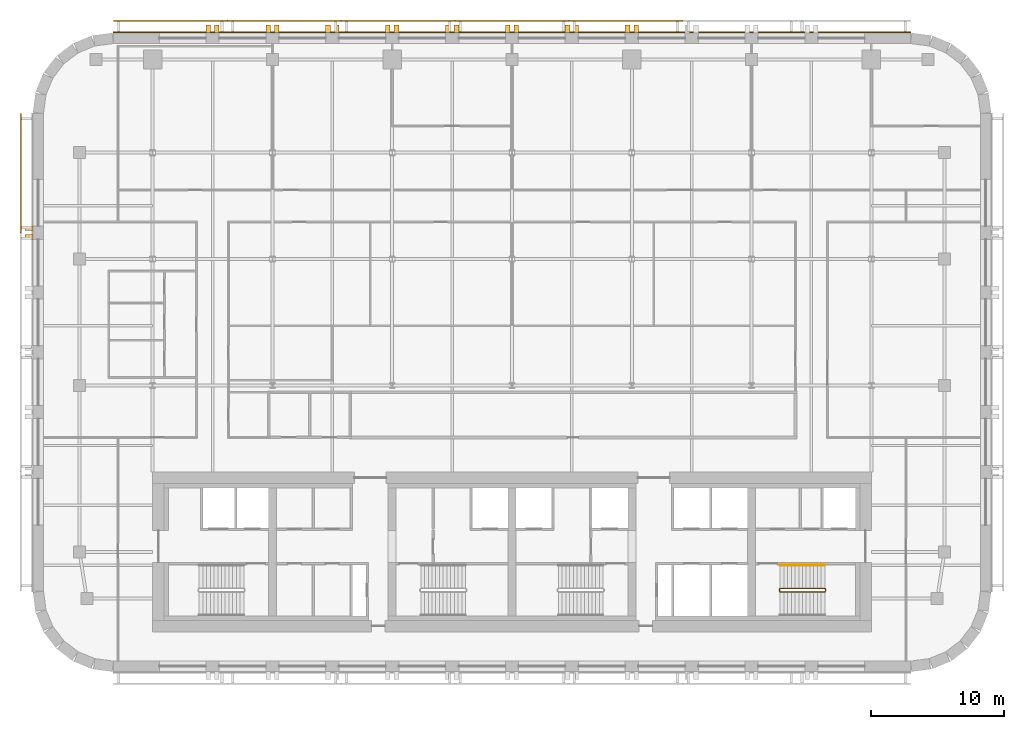
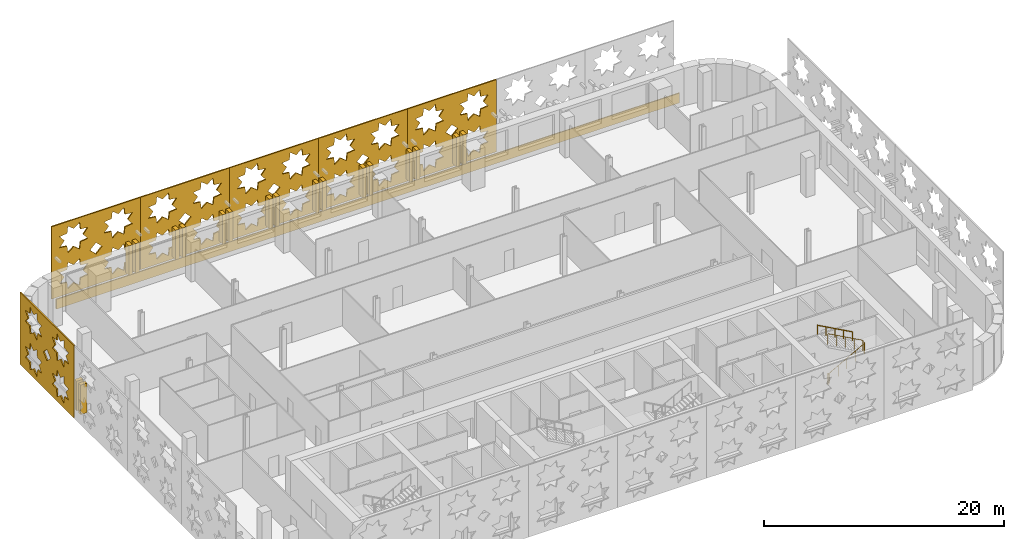
# One storey, part 11 of 12: 25 coverings, 2 railings.
"""IFC4 building model written with IfcOpenShell, lengths in metres."""

from ifc_helpers import new_model, si_unit, direction, frame, origin, origin_2d, place, context, subcontext, project, spatial, polyline, circle, outline, extrude, material, layer, layer_set, type_object, element, save


model = new_model("IFC4")

# Units and contexts
model_context = context("Model", 3, precision=1e-05, world=origin(), true_north=direction((0.0, 1.0)))
body_context = subcontext(model_context, "Body", "Model", "MODEL_VIEW")
ifc_project = project(units=[si_unit("LENGTHUNIT", "METRE"), si_unit("AREAUNIT", "SQUARE_METRE"), si_unit("VOLUMEUNIT", "CUBIC_METRE"), si_unit("PLANEANGLEUNIT", "RADIAN"), si_unit("MASSUNIT", "GRAM", prefix="KILO")], contexts=[model_context])

# Site, building, storey
site_placement = place(None, origin())
site = spatial("IfcSite", under=ifc_project, at=site_placement, CompositionType="ELEMENT")
building_placement = place(site_placement, origin())
building = spatial("IfcBuilding", under=site, at=building_placement, Name="Zellij Exchange Tower", CompositionType="ELEMENT")
storey_placement = place(building_placement, frame((0.0, 0.0, 180.5)))
storey = spatial("IfcBuildingStorey", under=building, at=storey_placement, Name="L41", CompositionType="ELEMENT", Elevation=180.5)

# Railings
ifc_material_1 = material(Name="Stainless steel", Category="steel")
railing_type_1 = type_object("IfcRailingType", Name="CORE-RG stair guard", PredefinedType="GUARDRAIL", material=ifc_material_1)
railing_1_placement = place(storey_placement, frame((20.10009765625, -10.949951171875, 0.0)))
element("IfcRailing", 1, at=railing_1_placement, inside=storey, type_object=railing_type_1, Name="ST4 stair guard L41", PredefinedType="GUARDRAIL", context=body_context, shape_type="SweptSolid", body=[
    extrude(circle(Radius=0.02392578125, at=origin_2d()), frame((0.0, 0.0, 1.076171875), z_axis=(0.0, 1.0, 0.0), x_axis=(-1.0, 0.0, 0.0)), (0.0, 0.0, 1.0), 0.14990234375),
    extrude(circle(Radius=0.02392578125, at=origin_2d()), frame((0.0, 0.14990234375, 1.076171875), z_axis=(0.193691321961, -0.777613689637, 0.598164376644), x_axis=(0.970351222016, 0.241699205484, 0.0)), (0.0, 0.0, 1.0), 0.257080078125),
    extrude(circle(Radius=0.02392578125, at=origin_2d()), frame((0.0498046875, -0.050048828125, 1.22998046875), z_axis=(0.876421534553, 0.0, 0.481544695509), x_axis=(0.0, 1.0, 0.0)), (0.0, 0.0, 1.0), 3.833984375),
    extrude(circle(Radius=0.02392578125, at=origin_2d()), frame((3.409912109375, -0.050048828125, 3.076171875), z_axis=(0.707106781187, 0.707106781187, 0.0), x_axis=(-0.707106781187, 0.707106781187, 0.0)), (0.0, 0.0, 1.0), 0.07080078125),
    extrude(circle(Radius=0.02392578125, at=origin_2d()), frame((3.4599609375, 0.0, 3.076171875), z_axis=(0.0, 1.0, 0.0), x_axis=(-1.0, 0.0, 0.0)), (0.0, 0.0, 1.0), 0.14990234375),
    extrude(circle(Radius=0.02392578125, at=origin_2d()), frame((3.4599609375, 0.14990234375, 3.076171875), z_axis=(-0.295599637079, 0.295599637079, 0.908428152975), x_axis=(-0.707106781187, -0.707106781187, 0.0)), (0.0, 0.0, 1.0), 0.16943359375),
    extrude(circle(Radius=0.02392578125, at=origin_2d()), frame((3.409912109375, 0.199951171875, 3.22998046875), z_axis=(-0.876421534553, 0.0, 0.481544695509), x_axis=(0.0, -1.0, 0.0)), (0.0, 0.0, 1.0), 3.833984375),
    extrude(circle(Radius=0.02099609375, at=origin_2d()), origin(), (0.0, 0.0, 1.0), 1.052001953125),
    extrude(circle(Radius=0.02099609375, at=origin_2d()), frame((0.0, 0.14990234375, 0.0)), (0.0, 0.0, 1.0), 1.052001953125),
    extrude(circle(Radius=0.02099609375, at=origin_2d()), frame((0.0498046875, -0.050048828125, 0.15380859375)), (0.0, 0.0, 1.0), 1.052001953125),
    extrude(circle(Radius=0.02099609375, at=origin_2d()), frame((0.889892578125, -0.050048828125, 0.615234375)), (0.0, 0.0, 1.0), 1.052001953125),
    extrude(circle(Radius=0.02099609375, at=origin_2d()), frame((1.72998046875, -0.050048828125, 1.076904296875)), (0.0, 0.0, 1.0), 1.052001953125),
    extrude(circle(Radius=0.02099609375, at=origin_2d()), frame((2.56982421875, -0.050048828125, 1.53857421875)), (0.0, 0.0, 1.0), 1.052001953125),
    extrude(circle(Radius=0.02099609375, at=origin_2d()), frame((3.409912109375, -0.050048828125, 2.0)), (0.0, 0.0, 1.0), 1.052001953125),
    extrude(circle(Radius=0.02099609375, at=origin_2d()), frame((3.4599609375, 0.0, 2.0)), (0.0, 0.0, 1.0), 1.052001953125),
    extrude(circle(Radius=0.02099609375, at=origin_2d()), frame((3.4599609375, 0.14990234375, 2.0)), (0.0, 0.0, 1.0), 1.052001953125),
    extrude(circle(Radius=0.02099609375, at=origin_2d()), frame((3.409912109375, 0.199951171875, 2.15380859375)), (0.0, 0.0, 1.0), 1.052001953125),
    extrude(circle(Radius=0.02099609375, at=origin_2d()), frame((2.56982421875, 0.199951171875, 2.615234375)), (0.0, 0.0, 1.0), 1.052001953125),
    extrude(circle(Radius=0.02099609375, at=origin_2d()), frame((1.72998046875, 0.199951171875, 3.076904296875)), (0.0, 0.0, 1.0), 1.052001953125),
    extrude(circle(Radius=0.02099609375, at=origin_2d()), frame((0.889892578125, 0.199951171875, 3.53857421875)), (0.0, 0.0, 1.0), 1.052001953125),
    extrude(circle(Radius=0.02099609375, at=origin_2d()), frame((0.0498046875, 0.199951171875, 4.0)), (0.0, 0.0, 1.0), 1.052001953125),
])
railing_type_2 = type_object("IfcRailingType", Name="CORE-RH stair handrail", PredefinedType="HANDRAIL", material=ifc_material_1)
railing_2_placement = place(storey_placement, frame((23.510009765625, -9.0, 2.15380859375)))
element("IfcRailing", 2, at=railing_2_placement, inside=storey, type_object=railing_type_2, Name="ST4 stair handrail L41", PredefinedType="HANDRAIL", context=body_context, shape_type="SweptSolid", body=[
    extrude(circle(Radius=0.02392578125, at=origin_2d()), frame((0.0, 0.0, 0.8759765625), z_axis=(-0.876421534553, 0.0, 0.481544695509), x_axis=(0.0, -1.0, 0.0)), (0.0, 0.0, 1.0), 3.833984375),
    extrude(circle(Radius=0.02099609375, at=origin_2d()), origin(), (0.0, 0.0, 1.0), 0.851806640625),
    extrude(circle(Radius=0.02099609375, at=origin_2d()), frame((-0.840087890625, 0.0, 0.46142578125)), (0.0, 0.0, 1.0), 0.851806640625),
    extrude(circle(Radius=0.02099609375, at=origin_2d()), frame((-1.68017578125, 0.0, 0.923095703125)), (0.0, 0.0, 1.0), 0.851806640625),
    extrude(circle(Radius=0.02099609375, at=origin_2d()), frame((-2.52001953125, 0.0, 1.384765625)), (0.0, 0.0, 1.0), 0.851806640625),
    extrude(circle(Radius=0.02099609375, at=origin_2d()), frame((-3.360107421875, 0.0, 1.84619140625)), (0.0, 0.0, 1.0), 0.851806640625),
])

# Coverings
ifc_material_2 = material(Name="Limestone cladding", Category="masonry")
covering_type_1 = type_object("IfcCoveringType", Name="ENV-CV3 Stone pier 350x600", PredefinedType="CLADDING", material=ifc_material_2)
covering_1_placement = place(storey_placement, frame((0.0, 0.0, 0.800048828125)))
element("IfcCovering", 3, at=covering_1_placement, inside=storey, type_object=covering_type_1, Name="Stone pier", PredefinedType="CLADDING", context=body_context, shape_type="SweptSolid", body=[
    extrude(outline(polyline([(9.5, 31.0), (9.14990234375, 31.0), (9.14990234375, 31.60009765625), (9.5, 31.60009765625), (9.5, 31.0)])), origin(), (0.0, 0.0, 1.0), 3.0),
])
covering_2_placement = place(storey_placement, frame((0.0, 0.0, 0.800048828125)))
element("IfcCovering", 4, at=covering_2_placement, inside=storey, type_object=covering_type_1, Name="Stone pier", PredefinedType="CLADDING", context=body_context, shape_type="SweptSolid", body=[
    extrude(outline(polyline([(8.85009765625, 31.0), (8.5, 31.0), (8.5, 31.60009765625), (8.85009765625, 31.60009765625), (8.85009765625, 31.0)])), origin(), (0.0, 0.0, 1.0), 3.0),
])
covering_3_placement = place(storey_placement, frame((0.0, 0.0, 0.800048828125)))
element("IfcCovering", 5, at=covering_3_placement, inside=storey, type_object=covering_type_1, Name="Stone pier", PredefinedType="CLADDING", context=body_context, shape_type="SweptSolid", body=[
    extrude(outline(polyline([(5.0, 31.0), (4.64990234375, 31.0), (4.64990234375, 31.60009765625), (5.0, 31.60009765625), (5.0, 31.0)])), origin(), (0.0, 0.0, 1.0), 3.0),
])
covering_4_placement = place(storey_placement, frame((0.0, 0.0, 0.800048828125)))
element("IfcCovering", 6, at=covering_4_placement, inside=storey, type_object=covering_type_1, Name="Stone pier", PredefinedType="CLADDING", context=body_context, shape_type="SweptSolid", body=[
    extrude(outline(polyline([(4.35009765625, 31.0), (4.0, 31.0), (4.0, 31.60009765625), (4.35009765625, 31.60009765625), (4.35009765625, 31.0)])), origin(), (0.0, 0.0, 1.0), 3.0),
])
covering_5_placement = place(storey_placement, frame((0.0, 0.0, 0.800048828125)))
element("IfcCovering", 7, at=covering_5_placement, inside=storey, type_object=covering_type_1, Name="Stone pier", PredefinedType="CLADDING", context=body_context, shape_type="SweptSolid", body=[
    extrude(outline(polyline([(0.5, 31.0), (0.14990234375, 31.0), (0.14990234375, 31.60009765625), (0.5, 31.60009765625), (0.5, 31.0)])), origin(), (0.0, 0.0, 1.0), 3.0),
])
covering_6_placement = place(storey_placement, frame((0.0, 0.0, 0.800048828125)))
element("IfcCovering", 8, at=covering_6_placement, inside=storey, type_object=covering_type_1, Name="Stone pier", PredefinedType="CLADDING", context=body_context, shape_type="SweptSolid", body=[
    extrude(outline(polyline([(-0.14990234375, 31.0), (-0.5, 31.0), (-0.5, 31.60009765625), (-0.14990234375, 31.60009765625), (-0.14990234375, 31.0)])), origin(), (0.0, 0.0, 1.0), 3.0),
])
covering_7_placement = place(storey_placement, frame((0.0, 0.0, 0.800048828125)))
element("IfcCovering", 9, at=covering_7_placement, inside=storey, type_object=covering_type_1, Name="Stone pier", PredefinedType="CLADDING", context=body_context, shape_type="SweptSolid", body=[
    extrude(outline(polyline([(-4.0, 31.0), (-4.35009765625, 31.0), (-4.35009765625, 31.60009765625), (-4.0, 31.60009765625), (-4.0, 31.0)])), origin(), (0.0, 0.0, 1.0), 3.0),
])
covering_8_placement = place(storey_placement, frame((0.0, 0.0, 0.800048828125)))
element("IfcCovering", 10, at=covering_8_placement, inside=storey, type_object=covering_type_1, Name="Stone pier", PredefinedType="CLADDING", context=body_context, shape_type="SweptSolid", body=[
    extrude(outline(polyline([(-4.64990234375, 31.0), (-5.0, 31.0), (-5.0, 31.60009765625), (-4.64990234375, 31.60009765625), (-4.64990234375, 31.0)])), origin(), (0.0, 0.0, 1.0), 3.0),
])
covering_9_placement = place(storey_placement, frame((0.0, 0.0, 0.800048828125)))
element("IfcCovering", 11, at=covering_9_placement, inside=storey, type_object=covering_type_1, Name="Stone pier", PredefinedType="CLADDING", context=body_context, shape_type="SweptSolid", body=[
    extrude(outline(polyline([(-8.5, 31.0), (-8.85009765625, 31.0), (-8.85009765625, 31.60009765625), (-8.5, 31.60009765625), (-8.5, 31.0)])), origin(), (0.0, 0.0, 1.0), 3.0),
])
covering_10_placement = place(storey_placement, frame((0.0, 0.0, 0.800048828125)))
element("IfcCovering", 12, at=covering_10_placement, inside=storey, type_object=covering_type_1, Name="Stone pier", PredefinedType="CLADDING", context=body_context, shape_type="SweptSolid", body=[
    extrude(outline(polyline([(-9.14990234375, 31.0), (-9.5, 31.0), (-9.5, 31.60009765625), (-9.14990234375, 31.60009765625), (-9.14990234375, 31.0)])), origin(), (0.0, 0.0, 1.0), 3.0),
])
covering_11_placement = place(storey_placement, frame((0.0, 0.0, 0.800048828125)))
element("IfcCovering", 13, at=covering_11_placement, inside=storey, type_object=covering_type_1, Name="Stone pier", PredefinedType="CLADDING", context=body_context, shape_type="SweptSolid", body=[
    extrude(outline(polyline([(-13.0, 31.0), (-13.35009765625, 31.0), (-13.35009765625, 31.60009765625), (-13.0, 31.60009765625), (-13.0, 31.0)])), origin(), (0.0, 0.0, 1.0), 3.0),
])
covering_12_placement = place(storey_placement, frame((0.0, 0.0, 0.800048828125)))
element("IfcCovering", 14, at=covering_12_placement, inside=storey, type_object=covering_type_1, Name="Stone pier", PredefinedType="CLADDING", context=body_context, shape_type="SweptSolid", body=[
    extrude(outline(polyline([(-13.64990234375, 31.0), (-14.0, 31.0), (-14.0, 31.60009765625), (-13.64990234375, 31.60009765625), (-13.64990234375, 31.0)])), origin(), (0.0, 0.0, 1.0), 3.0),
])
covering_13_placement = place(storey_placement, frame((0.0, 0.0, 0.800048828125)))
element("IfcCovering", 15, at=covering_13_placement, inside=storey, type_object=covering_type_1, Name="Stone pier", PredefinedType="CLADDING", context=body_context, shape_type="SweptSolid", body=[
    extrude(outline(polyline([(-17.5, 31.0), (-17.85009765625, 31.0), (-17.85009765625, 31.60009765625), (-17.5, 31.60009765625), (-17.5, 31.0)])), origin(), (0.0, 0.0, 1.0), 3.0),
])
covering_14_placement = place(storey_placement, frame((0.0, 0.0, 0.800048828125)))
element("IfcCovering", 16, at=covering_14_placement, inside=storey, type_object=covering_type_1, Name="Stone pier", PredefinedType="CLADDING", context=body_context, shape_type="SweptSolid", body=[
    extrude(outline(polyline([(-18.14990234375, 31.0), (-18.5, 31.0), (-18.5, 31.60009765625), (-18.14990234375, 31.60009765625), (-18.14990234375, 31.0)])), origin(), (0.0, 0.0, 1.0), 3.0),
])
covering_15_placement = place(storey_placement, frame((0.0, 0.0, 0.800048828125)))
element("IfcCovering", 17, at=covering_15_placement, inside=storey, type_object=covering_type_1, Name="Stone pier", PredefinedType="CLADDING", context=body_context, shape_type="SweptSolid", body=[
    extrude(outline(polyline([(-22.0, 31.0), (-22.35009765625, 31.0), (-22.35009765625, 31.60009765625), (-22.0, 31.60009765625), (-22.0, 31.0)])), origin(), (0.0, 0.0, 1.0), 3.0),
])
covering_16_placement = place(storey_placement, frame((0.0, 0.0, 0.800048828125)))
element("IfcCovering", 18, at=covering_16_placement, inside=storey, type_object=covering_type_1, Name="Stone pier", PredefinedType="CLADDING", context=body_context, shape_type="SweptSolid", body=[
    extrude(outline(polyline([(-22.64990234375, 31.0), (-23.0, 31.0), (-23.0, 31.60009765625), (-22.64990234375, 31.60009765625), (-22.64990234375, 31.0)])), origin(), (0.0, 0.0, 1.0), 3.0),
])
covering_17_placement = place(storey_placement, frame((0.0, 0.0, 0.800048828125)))
element("IfcCovering", 19, at=covering_17_placement, inside=storey, type_object=covering_type_1, Name="Stone pier", PredefinedType="CLADDING", context=body_context, shape_type="SweptSolid", body=[
    extrude(outline(polyline([(-36.0, 16.48681640625), (-36.0, 16.136962890625), (-36.60009765625, 16.136962890625), (-36.60009765625, 16.48681640625), (-36.0, 16.48681640625)])), origin(), (0.0, 0.0, 1.0), 3.0),
])
covering_18_placement = place(storey_placement, frame((0.0, 0.0, 0.800048828125)))
element("IfcCovering", 20, at=covering_18_placement, inside=storey, type_object=covering_type_1, Name="Stone pier", PredefinedType="CLADDING", context=body_context, shape_type="SweptSolid", body=[
    extrude(outline(polyline([(-36.0, 15.8369140625), (-36.0, 15.48681640625), (-36.60009765625, 15.48681640625), (-36.60009765625, 15.8369140625), (-36.0, 15.8369140625)])), origin(), (0.0, 0.0, 1.0), 3.0),
])
ifc_layer_1 = layer(ifc_material_2, 0.10009765625)
ifc_layer_set_1 = layer_set([ifc_layer_1], Name="Limestone cladding")
covering_type_2 = type_object("IfcCoveringType", Name="ENV-CV9 Stone spandrel band 100", PredefinedType="CLADDING", material=ifc_layer_set_1)
covering_19_placement = place(storey_placement, frame((0.0, 0.0, -0.199951171875)))
element("IfcCovering", 21, at=covering_19_placement, inside=storey, type_object=covering_type_2, Name="Stone spandrel band", PredefinedType="CLADDING", context=body_context, shape_type="SweptSolid", body=[
    extrude(outline(polyline([(29.973876953125, 31.0), (-29.973876953125, 31.0), (-29.980224609375, 31.10009765625), (29.980224609375, 31.10009765625), (29.973876953125, 31.0)])), origin(), (0.0, 0.0, 1.0), 1.0),
])
ifc_material_3 = material(Name="Limestone screen", Category="masonry")
ifc_layer_2 = layer(ifc_material_3, 0.1201171875)
ifc_layer_set_2 = layer_set([ifc_layer_2], Name="Limestone screen")
covering_type_3 = type_object("IfcCoveringType", Name="ENV-SC1 Pierced stone screen 120", PredefinedType="USERDEFINED", material=ifc_layer_set_2)
covering_20_placement = place(storey_placement, frame((-36.909912109375, 24.947509765625, 0.300048828125), z_axis=(0.0, 0.0, 1.0), x_axis=(0.0, -1.0, 0.0)))
element("IfcCovering", 22, at=covering_20_placement, inside=storey, type_object=covering_type_3, Name="Pierced stone screen", ObjectType="SCREEN", PredefinedType="USERDEFINED", context=body_context, shape_type="SweptSolid", body=[
    extrude(outline(polyline([(0.0, 0.0), (8.973876953125, 0.0), (8.973876953125, 7.35009765625), (0.0, 7.35009765625), (0.0, 0.0)]), holes=[polyline([(3.6015625, 2.39990234375), (2.887939453125, 2.48193359375), (2.805908203125, 3.195556640625), (2.243408203125, 2.748779296875), (1.680908203125, 3.195556640625), (1.59912109375, 2.48193359375), (0.88525390625, 2.39990234375), (1.33203125, 1.83740234375), (0.88525390625, 1.27490234375), (1.59912109375, 1.193115234375), (1.680908203125, 0.4794921875), (2.243408203125, 0.926025390625), (2.805908203125, 0.4794921875), (2.887939453125, 1.193115234375), (3.6015625, 1.27490234375), (3.15478515625, 1.83740234375), (3.6015625, 2.39990234375)]), polyline([(3.6015625, 6.074951171875), (2.887939453125, 6.156982421875), (2.805908203125, 6.87060546875), (2.243408203125, 6.423828125), (1.680908203125, 6.87060546875), (1.59912109375, 6.156982421875), (0.88525390625, 6.074951171875), (1.33203125, 5.512451171875), (0.88525390625, 4.949951171875), (1.59912109375, 4.867919921875), (1.680908203125, 4.154296875), (2.243408203125, 4.60107421875), (2.805908203125, 4.154296875), (2.887939453125, 4.867919921875), (3.6015625, 4.949951171875), (3.15478515625, 5.512451171875), (3.6015625, 6.074951171875)]), polyline([(8.08837890625, 2.39990234375), (7.374755859375, 2.48193359375), (7.29296875, 3.195556640625), (6.730224609375, 2.748779296875), (6.167724609375, 3.195556640625), (6.0859375, 2.48193359375), (5.372314453125, 2.39990234375), (5.81884765625, 1.83740234375), (5.372314453125, 1.27490234375), (6.0859375, 1.193115234375), (6.167724609375, 0.4794921875), (6.730224609375, 0.926025390625), (7.29296875, 0.4794921875), (7.374755859375, 1.193115234375), (8.08837890625, 1.27490234375), (7.6416015625, 1.83740234375), (8.08837890625, 2.39990234375)]), polyline([(8.08837890625, 6.074951171875), (7.374755859375, 6.156982421875), (7.29296875, 6.87060546875), (6.730224609375, 6.423828125), (6.167724609375, 6.87060546875), (6.0859375, 6.156982421875), (5.372314453125, 6.074951171875), (5.81884765625, 5.512451171875), (5.372314453125, 4.949951171875), (6.0859375, 4.867919921875), (6.167724609375, 4.154296875), (6.730224609375, 4.60107421875), (7.29296875, 4.154296875), (7.374755859375, 4.867919921875), (8.08837890625, 4.949951171875), (7.6416015625, 5.512451171875), (8.08837890625, 6.074951171875)]), polyline([(5.074951171875, 3.675048828125), (4.48681640625, 4.262939453125), (3.89892578125, 3.675048828125), (4.48681640625, 3.0869140625), (5.074951171875, 3.675048828125)])]), frame((0.0, 0.06005859375, 0.0), z_axis=(0.0, -1.0, 0.0), x_axis=(1.0, 0.0, 0.0)), (0.0, 0.0, 1.0), 0.1201171875),
])
covering_21_placement = place(storey_placement, frame((12.834716796875, 31.909912109375, 0.300048828125), z_axis=(0.0, 0.0, 1.0), x_axis=(-1.0, 0.0, 0.0)))
element("IfcCovering", 23, at=covering_21_placement, inside=storey, type_object=covering_type_3, Name="Pierced stone screen", ObjectType="SCREEN", PredefinedType="USERDEFINED", context=body_context, shape_type="SweptSolid", body=[
    extrude(outline(polyline([(0.0, 0.0), (8.556396484375, 0.0), (8.556396484375, 7.35009765625), (0.0, 7.35009765625), (0.0, 0.0)]), holes=[polyline([(3.497314453125, 2.39990234375), (2.78369140625, 2.48193359375), (2.70166015625, 3.195556640625), (2.13916015625, 2.748779296875), (1.57666015625, 3.195556640625), (1.49462890625, 2.48193359375), (0.781005859375, 2.39990234375), (1.227783203125, 1.83740234375), (0.781005859375, 1.27490234375), (1.49462890625, 1.193115234375), (1.57666015625, 0.4794921875), (2.13916015625, 0.926025390625), (2.70166015625, 0.4794921875), (2.78369140625, 1.193115234375), (3.497314453125, 1.27490234375), (3.050537109375, 1.83740234375), (3.497314453125, 2.39990234375)]), polyline([(3.497314453125, 6.074951171875), (2.78369140625, 6.156982421875), (2.70166015625, 6.87060546875), (2.13916015625, 6.423828125), (1.57666015625, 6.87060546875), (1.49462890625, 6.156982421875), (0.781005859375, 6.074951171875), (1.227783203125, 5.512451171875), (0.781005859375, 4.949951171875), (1.49462890625, 4.867919921875), (1.57666015625, 4.154296875), (2.13916015625, 4.60107421875), (2.70166015625, 4.154296875), (2.78369140625, 4.867919921875), (3.497314453125, 4.949951171875), (3.050537109375, 5.512451171875), (3.497314453125, 6.074951171875)]), polyline([(7.775390625, 2.39990234375), (7.061767578125, 2.48193359375), (6.97998046875, 3.195556640625), (6.417236328125, 2.748779296875), (5.854736328125, 3.195556640625), (5.77294921875, 2.48193359375), (5.05908203125, 2.39990234375), (5.505859375, 1.83740234375), (5.05908203125, 1.27490234375), (5.77294921875, 1.193115234375), (5.854736328125, 0.4794921875), (6.417236328125, 0.926025390625), (6.97998046875, 0.4794921875), (7.061767578125, 1.193115234375), (7.775390625, 1.27490234375), (7.32861328125, 1.83740234375), (7.775390625, 2.39990234375)]), polyline([(7.775390625, 6.074951171875), (7.061767578125, 6.156982421875), (6.97998046875, 6.87060546875), (6.417236328125, 6.423828125), (5.854736328125, 6.87060546875), (5.77294921875, 6.156982421875), (5.05908203125, 6.074951171875), (5.505859375, 5.512451171875), (5.05908203125, 4.949951171875), (5.77294921875, 4.867919921875), (5.854736328125, 4.154296875), (6.417236328125, 4.60107421875), (6.97998046875, 4.154296875), (7.061767578125, 4.867919921875), (7.775390625, 4.949951171875), (7.32861328125, 5.512451171875), (7.775390625, 6.074951171875)]), polyline([(4.8662109375, 3.675048828125), (4.2783203125, 4.262939453125), (3.690185546875, 3.675048828125), (4.2783203125, 3.0869140625), (4.8662109375, 3.675048828125)])]), frame((0.0, 0.06005859375, 0.0), z_axis=(0.0, -1.0, 0.0), x_axis=(1.0, 0.0, 0.0)), (0.0, 0.0, 1.0), 0.1201171875),
])
covering_22_placement = place(storey_placement, frame((4.2783203125, 31.909912109375, 0.300048828125), z_axis=(0.0, 0.0, 1.0), x_axis=(-1.0, 0.0, 0.0)))
element("IfcCovering", 24, at=covering_22_placement, inside=storey, type_object=covering_type_3, Name="Pierced stone screen", ObjectType="SCREEN", PredefinedType="USERDEFINED", context=body_context, shape_type="SweptSolid", body=[
    extrude(outline(polyline([(0.0, 0.0), (8.556396484375, 0.0), (8.556396484375, 7.35009765625), (0.0, 7.35009765625), (0.0, 0.0)]), holes=[polyline([(3.497314453125, 2.39990234375), (2.78369140625, 2.48193359375), (2.70166015625, 3.195556640625), (2.13916015625, 2.748779296875), (1.57666015625, 3.195556640625), (1.49462890625, 2.48193359375), (0.781005859375, 2.39990234375), (1.227783203125, 1.83740234375), (0.781005859375, 1.27490234375), (1.49462890625, 1.193115234375), (1.57666015625, 0.4794921875), (2.13916015625, 0.926025390625), (2.70166015625, 0.4794921875), (2.78369140625, 1.193115234375), (3.497314453125, 1.27490234375), (3.050537109375, 1.83740234375), (3.497314453125, 2.39990234375)]), polyline([(3.497314453125, 6.074951171875), (2.78369140625, 6.156982421875), (2.70166015625, 6.87060546875), (2.13916015625, 6.423828125), (1.57666015625, 6.87060546875), (1.49462890625, 6.156982421875), (0.781005859375, 6.074951171875), (1.227783203125, 5.512451171875), (0.781005859375, 4.949951171875), (1.49462890625, 4.867919921875), (1.57666015625, 4.154296875), (2.13916015625, 4.60107421875), (2.70166015625, 4.154296875), (2.78369140625, 4.867919921875), (3.497314453125, 4.949951171875), (3.050537109375, 5.512451171875), (3.497314453125, 6.074951171875)]), polyline([(7.775390625, 2.39990234375), (7.061767578125, 2.48193359375), (6.97998046875, 3.195556640625), (6.417236328125, 2.748779296875), (5.854736328125, 3.195556640625), (5.77294921875, 2.48193359375), (5.05908203125, 2.39990234375), (5.505859375, 1.83740234375), (5.05908203125, 1.27490234375), (5.77294921875, 1.193115234375), (5.854736328125, 0.4794921875), (6.417236328125, 0.926025390625), (6.97998046875, 0.4794921875), (7.061767578125, 1.193115234375), (7.775390625, 1.27490234375), (7.32861328125, 1.83740234375), (7.775390625, 2.39990234375)]), polyline([(7.775390625, 6.074951171875), (7.061767578125, 6.156982421875), (6.97998046875, 6.87060546875), (6.417236328125, 6.423828125), (5.854736328125, 6.87060546875), (5.77294921875, 6.156982421875), (5.05908203125, 6.074951171875), (5.505859375, 5.512451171875), (5.05908203125, 4.949951171875), (5.77294921875, 4.867919921875), (5.854736328125, 4.154296875), (6.417236328125, 4.60107421875), (6.97998046875, 4.154296875), (7.061767578125, 4.867919921875), (7.775390625, 4.949951171875), (7.32861328125, 5.512451171875), (7.775390625, 6.074951171875)]), polyline([(4.8662109375, 3.675048828125), (4.2783203125, 4.262939453125), (3.690185546875, 3.675048828125), (4.2783203125, 3.0869140625), (4.8662109375, 3.675048828125)])]), frame((0.0, 0.06005859375, 0.0), z_axis=(0.0, -1.0, 0.0), x_axis=(1.0, 0.0, 0.0)), (0.0, 0.0, 1.0), 0.1201171875),
])
covering_23_placement = place(storey_placement, frame((-4.2783203125, 31.909912109375, 0.300048828125), z_axis=(0.0, 0.0, 1.0), x_axis=(-1.0, 0.0, 0.0)))
element("IfcCovering", 25, at=covering_23_placement, inside=storey, type_object=covering_type_3, Name="Pierced stone screen", ObjectType="SCREEN", PredefinedType="USERDEFINED", context=body_context, shape_type="SweptSolid", body=[
    extrude(outline(polyline([(0.0, 0.0), (8.556396484375, 0.0), (8.556396484375, 7.35009765625), (0.0, 7.35009765625), (0.0, 0.0)]), holes=[polyline([(3.497314453125, 2.39990234375), (2.78369140625, 2.48193359375), (2.70166015625, 3.195556640625), (2.13916015625, 2.748779296875), (1.57666015625, 3.195556640625), (1.49462890625, 2.48193359375), (0.781005859375, 2.39990234375), (1.227783203125, 1.83740234375), (0.781005859375, 1.27490234375), (1.49462890625, 1.193115234375), (1.57666015625, 0.4794921875), (2.13916015625, 0.926025390625), (2.70166015625, 0.4794921875), (2.78369140625, 1.193115234375), (3.497314453125, 1.27490234375), (3.050537109375, 1.83740234375), (3.497314453125, 2.39990234375)]), polyline([(3.497314453125, 6.074951171875), (2.78369140625, 6.156982421875), (2.70166015625, 6.87060546875), (2.13916015625, 6.423828125), (1.57666015625, 6.87060546875), (1.49462890625, 6.156982421875), (0.781005859375, 6.074951171875), (1.227783203125, 5.512451171875), (0.781005859375, 4.949951171875), (1.49462890625, 4.867919921875), (1.57666015625, 4.154296875), (2.13916015625, 4.60107421875), (2.70166015625, 4.154296875), (2.78369140625, 4.867919921875), (3.497314453125, 4.949951171875), (3.050537109375, 5.512451171875), (3.497314453125, 6.074951171875)]), polyline([(7.775390625, 2.39990234375), (7.061767578125, 2.48193359375), (6.97998046875, 3.195556640625), (6.417236328125, 2.748779296875), (5.854736328125, 3.195556640625), (5.77294921875, 2.48193359375), (5.05908203125, 2.39990234375), (5.505859375, 1.83740234375), (5.05908203125, 1.27490234375), (5.77294921875, 1.193115234375), (5.854736328125, 0.4794921875), (6.417236328125, 0.926025390625), (6.97998046875, 0.4794921875), (7.061767578125, 1.193115234375), (7.775390625, 1.27490234375), (7.32861328125, 1.83740234375), (7.775390625, 2.39990234375)]), polyline([(7.775390625, 6.074951171875), (7.061767578125, 6.156982421875), (6.97998046875, 6.87060546875), (6.417236328125, 6.423828125), (5.854736328125, 6.87060546875), (5.77294921875, 6.156982421875), (5.05908203125, 6.074951171875), (5.505859375, 5.512451171875), (5.05908203125, 4.949951171875), (5.77294921875, 4.867919921875), (5.854736328125, 4.154296875), (6.417236328125, 4.60107421875), (6.97998046875, 4.154296875), (7.061767578125, 4.867919921875), (7.775390625, 4.949951171875), (7.32861328125, 5.512451171875), (7.775390625, 6.074951171875)]), polyline([(4.8662109375, 3.675048828125), (4.2783203125, 4.262939453125), (3.690185546875, 3.675048828125), (4.2783203125, 3.0869140625), (4.8662109375, 3.675048828125)])]), frame((0.0, 0.06005859375, 0.0), z_axis=(0.0, -1.0, 0.0), x_axis=(1.0, 0.0, 0.0)), (0.0, 0.0, 1.0), 0.1201171875),
])
covering_24_placement = place(storey_placement, frame((-12.834716796875, 31.909912109375, 0.300048828125), z_axis=(0.0, 0.0, 1.0), x_axis=(-1.0, 0.0, 0.0)))
element("IfcCovering", 26, at=covering_24_placement, inside=storey, type_object=covering_type_3, Name="Pierced stone screen", ObjectType="SCREEN", PredefinedType="USERDEFINED", context=body_context, shape_type="SweptSolid", body=[
    extrude(outline(polyline([(0.0, 0.0), (8.556396484375, 0.0), (8.556396484375, 7.35009765625), (0.0, 7.35009765625), (0.0, 0.0)]), holes=[polyline([(3.497314453125, 2.39990234375), (2.78369140625, 2.48193359375), (2.70166015625, 3.195556640625), (2.13916015625, 2.748779296875), (1.57666015625, 3.195556640625), (1.49462890625, 2.48193359375), (0.781005859375, 2.39990234375), (1.227783203125, 1.83740234375), (0.781005859375, 1.27490234375), (1.49462890625, 1.193115234375), (1.57666015625, 0.4794921875), (2.13916015625, 0.926025390625), (2.70166015625, 0.4794921875), (2.78369140625, 1.193115234375), (3.497314453125, 1.27490234375), (3.050537109375, 1.83740234375), (3.497314453125, 2.39990234375)]), polyline([(3.497314453125, 6.074951171875), (2.78369140625, 6.156982421875), (2.70166015625, 6.87060546875), (2.13916015625, 6.423828125), (1.57666015625, 6.87060546875), (1.49462890625, 6.156982421875), (0.781005859375, 6.074951171875), (1.227783203125, 5.512451171875), (0.781005859375, 4.949951171875), (1.49462890625, 4.867919921875), (1.57666015625, 4.154296875), (2.13916015625, 4.60107421875), (2.70166015625, 4.154296875), (2.78369140625, 4.867919921875), (3.497314453125, 4.949951171875), (3.050537109375, 5.512451171875), (3.497314453125, 6.074951171875)]), polyline([(7.775390625, 2.39990234375), (7.061767578125, 2.48193359375), (6.97998046875, 3.195556640625), (6.417236328125, 2.748779296875), (5.854736328125, 3.195556640625), (5.77294921875, 2.48193359375), (5.05908203125, 2.39990234375), (5.505859375, 1.83740234375), (5.05908203125, 1.27490234375), (5.77294921875, 1.193115234375), (5.854736328125, 0.4794921875), (6.417236328125, 0.926025390625), (6.97998046875, 0.4794921875), (7.061767578125, 1.193115234375), (7.775390625, 1.27490234375), (7.32861328125, 1.83740234375), (7.775390625, 2.39990234375)]), polyline([(7.775390625, 6.074951171875), (7.061767578125, 6.156982421875), (6.97998046875, 6.87060546875), (6.417236328125, 6.423828125), (5.854736328125, 6.87060546875), (5.77294921875, 6.156982421875), (5.05908203125, 6.074951171875), (5.505859375, 5.512451171875), (5.05908203125, 4.949951171875), (5.77294921875, 4.867919921875), (5.854736328125, 4.154296875), (6.417236328125, 4.60107421875), (6.97998046875, 4.154296875), (7.061767578125, 4.867919921875), (7.775390625, 4.949951171875), (7.32861328125, 5.512451171875), (7.775390625, 6.074951171875)]), polyline([(4.8662109375, 3.675048828125), (4.2783203125, 4.262939453125), (3.690185546875, 3.675048828125), (4.2783203125, 3.0869140625), (4.8662109375, 3.675048828125)])]), frame((0.0, 0.06005859375, 0.0), z_axis=(0.0, -1.0, 0.0), x_axis=(1.0, 0.0, 0.0)), (0.0, 0.0, 1.0), 0.1201171875),
])
covering_25_placement = place(storey_placement, frame((-21.39111328125, 31.909912109375, 0.300048828125), z_axis=(0.0, 0.0, 1.0), x_axis=(-1.0, 0.0, 0.0)))
element("IfcCovering", 27, at=covering_25_placement, inside=storey, type_object=covering_type_3, Name="Pierced stone screen", ObjectType="SCREEN", PredefinedType="USERDEFINED", context=body_context, shape_type="SweptSolid", body=[
    extrude(outline(polyline([(0.0, 0.0), (8.556396484375, 0.0), (8.556396484375, 7.35009765625), (0.0, 7.35009765625), (0.0, 0.0)]), holes=[polyline([(3.497314453125, 2.39990234375), (2.78369140625, 2.48193359375), (2.70166015625, 3.195556640625), (2.13916015625, 2.748779296875), (1.57666015625, 3.195556640625), (1.49462890625, 2.48193359375), (0.781005859375, 2.39990234375), (1.227783203125, 1.83740234375), (0.781005859375, 1.27490234375), (1.49462890625, 1.193115234375), (1.57666015625, 0.4794921875), (2.13916015625, 0.926025390625), (2.70166015625, 0.4794921875), (2.78369140625, 1.193115234375), (3.497314453125, 1.27490234375), (3.050537109375, 1.83740234375), (3.497314453125, 2.39990234375)]), polyline([(3.497314453125, 6.074951171875), (2.78369140625, 6.156982421875), (2.70166015625, 6.87060546875), (2.13916015625, 6.423828125), (1.57666015625, 6.87060546875), (1.49462890625, 6.156982421875), (0.781005859375, 6.074951171875), (1.227783203125, 5.512451171875), (0.781005859375, 4.949951171875), (1.49462890625, 4.867919921875), (1.57666015625, 4.154296875), (2.13916015625, 4.60107421875), (2.70166015625, 4.154296875), (2.78369140625, 4.867919921875), (3.497314453125, 4.949951171875), (3.050537109375, 5.512451171875), (3.497314453125, 6.074951171875)]), polyline([(7.775390625, 2.39990234375), (7.061767578125, 2.48193359375), (6.97998046875, 3.195556640625), (6.417236328125, 2.748779296875), (5.854736328125, 3.195556640625), (5.77294921875, 2.48193359375), (5.05908203125, 2.39990234375), (5.505859375, 1.83740234375), (5.05908203125, 1.27490234375), (5.77294921875, 1.193115234375), (5.854736328125, 0.4794921875), (6.417236328125, 0.926025390625), (6.97998046875, 0.4794921875), (7.061767578125, 1.193115234375), (7.775390625, 1.27490234375), (7.32861328125, 1.83740234375), (7.775390625, 2.39990234375)]), polyline([(7.775390625, 6.074951171875), (7.061767578125, 6.156982421875), (6.97998046875, 6.87060546875), (6.417236328125, 6.423828125), (5.854736328125, 6.87060546875), (5.77294921875, 6.156982421875), (5.05908203125, 6.074951171875), (5.505859375, 5.512451171875), (5.05908203125, 4.949951171875), (5.77294921875, 4.867919921875), (5.854736328125, 4.154296875), (6.417236328125, 4.60107421875), (6.97998046875, 4.154296875), (7.061767578125, 4.867919921875), (7.775390625, 4.949951171875), (7.32861328125, 5.512451171875), (7.775390625, 6.074951171875)]), polyline([(4.8662109375, 3.675048828125), (4.2783203125, 4.262939453125), (3.690185546875, 3.675048828125), (4.2783203125, 3.0869140625), (4.8662109375, 3.675048828125)])]), frame((0.0, 0.06005859375, 0.0), z_axis=(0.0, -1.0, 0.0), x_axis=(1.0, 0.0, 0.0)), (0.0, 0.0, 1.0), 0.1201171875),
])

save(model, "model.ifc")
